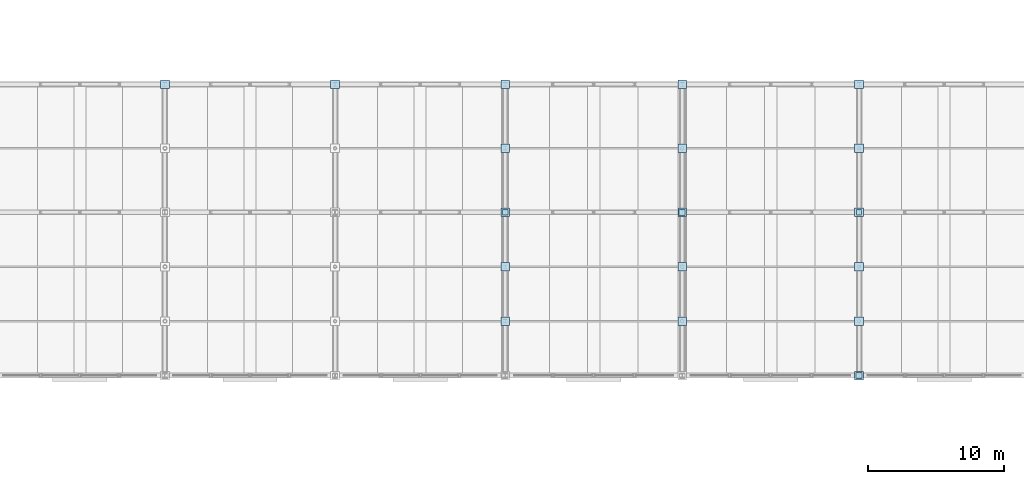
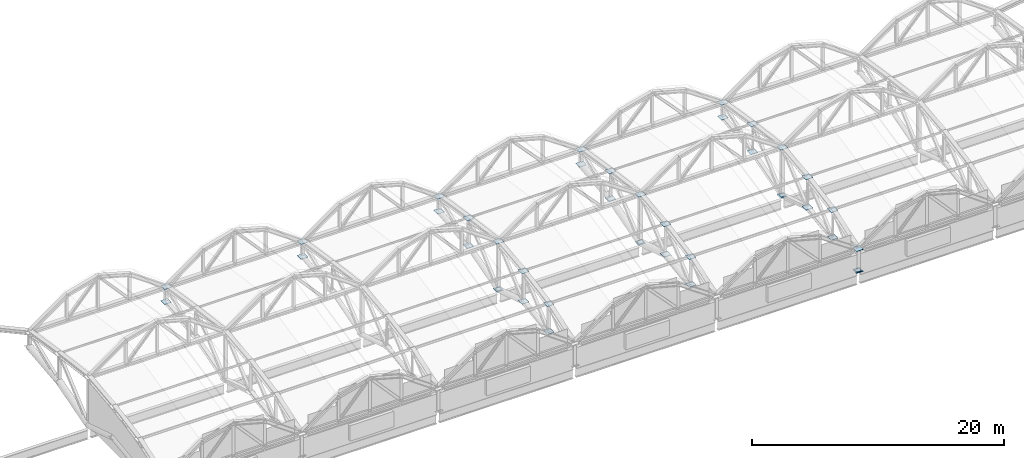
# One storey, part 100 of 117: 40 plates.
"""IFC4 building model written with IfcOpenShell, lengths in metres."""

from ifc_helpers import new_model, si_unit, direction, frame, origin, origin_2d, place, context, subcontext, project, spatial, rectangle, extrude, material, layer, layer_set, type_object, element, save


model = new_model("IFC4")

# Units and contexts
model_context = context("Model", 3, precision=1e-05, world=origin(), true_north=direction((0.0, 1.0)))
body_context = subcontext(model_context, "Body", "Model", "MODEL_VIEW")
ifc_project = project(units=[si_unit("LENGTHUNIT", "METRE"), si_unit("AREAUNIT", "SQUARE_METRE"), si_unit("VOLUMEUNIT", "CUBIC_METRE"), si_unit("PLANEANGLEUNIT", "RADIAN"), si_unit("MASSUNIT", "GRAM", prefix="KILO")], contexts=[model_context])

# Site, building, storey
site_placement = place(None, origin())
site = spatial("IfcSite", under=ifc_project, at=site_placement, CompositionType="ELEMENT")
building_placement = place(site_placement, origin())
building = spatial("IfcBuilding", under=site, at=building_placement, Name="Kazenohara Klinker Stadium", CompositionType="ELEMENT")
storey_placement = place(building_placement, frame((0.0, 0.0, 31.199951171875)))
storey = spatial("IfcBuildingStorey", under=building, at=storey_placement, Name="RF", CompositionType="ELEMENT", Elevation=31.199951171875)

# Plates
ifc_material = material(Name="Steel S355", Category="steel")
ifc_layer_1 = layer(ifc_material, 0.02001953125)
ifc_layer_set_1 = layer_set([ifc_layer_1], Name="Steel S355")
plate_type_1 = type_object("IfcPlateType", Name="PLT-GP01", PredefinedType="USERDEFINED", material=ifc_layer_set_1)
plate_1_placement = place(storey_placement, frame((125.0, 24.0, -0.010009765625), z_axis=(0.0, 0.0, 1.0), x_axis=(1.0, 0.0, 0.0)))
element("IfcPlate", 1, at=plate_1_placement, inside=storey, type_object=plate_type_1, Name="Hollow column end-cap plate GP01 RF 11/C", ObjectType="GUSSET PLATE", PredefinedType="USERDEFINED", context=body_context, shape_type="SweptSolid", body=[
    extrude(rectangle(XDim=0.43994140625, YDim=0.43994140625, at=origin_2d()), origin(), (0.0, 0.0, 1.0), 0.02001953125),
])
for number, where, z_axis, x_axis, name in (
    (2, (112.0, 45.39990234375, 1.840087890625), (0.0, 0.0, 1.0), (1.0, 0.0, 0.0), "ROOF TRUSS RT-S05 node gusset plate BN6"),
    (3, (112.0, 45.39990234375, 3.2900390625), (0.0, 0.0, 1.0), (1.0, 0.0, 0.0), "ROOF TRUSS RT-S05 node gusset plate TN6"),
    (4, (125.0, 40.699951171875, 1.340087890625), (0.0, 0.0, 1.0), (1.0, 0.0, 0.0), "ROOF TRUSS RT-S06 node gusset plate BN5"),
    (5, (125.0, 40.699951171875, 4.0400390625), (0.0, 0.0, 1.0), (1.0, 0.0, 0.0), "ROOF TRUSS RT-S06 node gusset plate TN5"),
):
    element("IfcPlate", number, at=place(storey_placement, frame(where, z_axis=z_axis, x_axis=x_axis)), inside=storey, type_object=plate_type_1, Name=name, ObjectType="GUSSET PLATE", PredefinedType="USERDEFINED", context=body_context, shape_type="SweptSolid", body=[
        extrude(rectangle(XDim=0.639892578125, YDim=0.639892578125, at=origin_2d()), origin(), (0.0, 0.0, 1.0), 0.02001953125),
    ])
ifc_layer_2 = layer(ifc_material, 0.02197265625)
ifc_layer_set_2 = layer_set([ifc_layer_2], Name="Steel S355")
plate_type_2 = type_object("IfcPlateType", Name="PLT-GP02", PredefinedType="USERDEFINED", material=ifc_layer_set_2)
plate_2_placement = place(storey_placement, frame((112.0, 36.0, -0.010986328125), z_axis=(0.0, 0.0, 1.0), x_axis=(1.0, 0.0, 0.0)))
element("IfcPlate", 6, at=plate_2_placement, inside=storey, type_object=plate_type_2, Name="Hollow column end-cap plate GP02 RF 10/D", ObjectType="GUSSET PLATE", PredefinedType="USERDEFINED", context=body_context, shape_type="SweptSolid", body=[
    extrude(rectangle(XDim=0.43994140625, YDim=0.43994140625, at=origin_2d()), origin(), (0.0, 0.0, 1.0), 0.02197265625),
])
for number, where, z_axis, x_axis, name in (
    (7, (99.0, 28.0, 0.739013671875), (0.0, 0.0, 1.0), (1.0, 0.0, 0.0), "ROOF TRUSS RT-S04 node gusset plate BN2"),
    (8, (99.0, 28.0, 3.43896484375), (0.0, 0.0, 1.0), (1.0, 0.0, 0.0), "ROOF TRUSS RT-S04 node gusset plate TN2"),
    (9, (125.0, 45.39990234375, 1.839111328125), (0.0, 0.0, 1.0), (1.0, 0.0, 0.0), "ROOF TRUSS RT-S06 node gusset plate BN6"),
    (10, (125.0, 45.39990234375, 3.2890625), (0.0, 0.0, 1.0), (1.0, 0.0, 0.0), "ROOF TRUSS RT-S06 node gusset plate TN6"),
):
    element("IfcPlate", number, at=place(storey_placement, frame(where, z_axis=z_axis, x_axis=x_axis)), inside=storey, type_object=plate_type_2, Name=name, ObjectType="GUSSET PLATE", PredefinedType="USERDEFINED", context=body_context, shape_type="SweptSolid", body=[
        extrude(rectangle(XDim=0.639892578125, YDim=0.639892578125, at=origin_2d()), origin(), (0.0, 0.0, 1.0), 0.02197265625),
    ])
ifc_layer_3 = layer(ifc_material, 0.02392578125)
ifc_layer_set_3 = layer_set([ifc_layer_3], Name="Steel S355")
plate_type_3 = type_object("IfcPlateType", Name="PLT-GP03", PredefinedType="USERDEFINED", material=ifc_layer_set_3)
plate_3_placement = place(storey_placement, frame((99.0, 36.0, -0.011962890625), z_axis=(0.0, 0.0, 1.0), x_axis=(1.0, 0.0, 0.0)))
element("IfcPlate", 11, at=plate_3_placement, inside=storey, type_object=plate_type_3, Name="Hollow column end-cap plate GP03 RF 9/D", ObjectType="GUSSET PLATE", PredefinedType="USERDEFINED", context=body_context, shape_type="SweptSolid", body=[
    extrude(rectangle(XDim=0.389892578125, YDim=0.389892578125, at=origin_2d()), origin(), (0.0, 0.0, 1.0), 0.02392578125),
])
for number, where, z_axis, x_axis, name in (
    (12, (99.0, 32.0, 1.238037109375), (0.0, 0.0, 1.0), (1.0, 0.0, 0.0), "ROOF TRUSS RT-S04 node gusset plate BN3"),
    (13, (99.0, 32.0, 4.18798828125), (0.0, 0.0, 1.0), (1.0, 0.0, 0.0), "ROOF TRUSS RT-S04 node gusset plate TN3"),
    (14, (112.0, 28.0, 0.738037109375), (0.0, 0.0, 1.0), (1.0, 0.0, 0.0), "ROOF TRUSS RT-S05 node gusset plate BN2"),
    (15, (112.0, 28.0, 3.43798828125), (0.0, 0.0, 1.0), (1.0, 0.0, 0.0), "ROOF TRUSS RT-S05 node gusset plate TN2"),
    (16, (125.0, 24.0, -0.031982421875), (0.0, 0.0, 1.0), (1.0, 0.0, 0.0), "ROOF TRUSS RT-S06 node gusset plate BN1"),
    (17, (125.0, 24.0, 2.088134765625), (0.0, 0.0, 1.0), (1.0, 0.0, 0.0), "ROOF TRUSS RT-S06 node gusset plate TN1"),
):
    element("IfcPlate", number, at=place(storey_placement, frame(where, z_axis=z_axis, x_axis=x_axis)), inside=storey, type_object=plate_type_3, Name=name, ObjectType="GUSSET PLATE", PredefinedType="USERDEFINED", context=body_context, shape_type="SweptSolid", body=[
        extrude(rectangle(XDim=0.639892578125, YDim=0.639892578125, at=origin_2d()), origin(), (0.0, 0.0, 1.0), 0.02392578125),
    ])
ifc_layer_4 = layer(ifc_material, 0.02490234375)
ifc_layer_set_4 = layer_set([ifc_layer_4], Name="Steel S355")
plate_type_4 = type_object("IfcPlateType", Name="PLT-GP04", PredefinedType="USERDEFINED", material=ifc_layer_set_4)
plate_4_placement = place(storey_placement, frame((125.0, 36.0, -0.012451171875), z_axis=(0.0, 0.0, 1.0), x_axis=(1.0, 0.0, 0.0)))
element("IfcPlate", 18, at=plate_4_placement, inside=storey, type_object=plate_type_4, Name="Hollow column end-cap plate GP04 RF 11/D", ObjectType="GUSSET PLATE", PredefinedType="USERDEFINED", context=body_context, shape_type="SweptSolid", body=[
    extrude(rectangle(XDim=0.389892578125, YDim=0.389892578125, at=origin_2d()), origin(), (0.0, 0.0, 1.0), 0.02490234375),
])
for number, where, z_axis, x_axis, name in (
    (19, (74.0, 45.39990234375, 1.837646484375), (0.0, 0.0, 1.0), (1.0, 0.0, 0.0), "ROOF TRUSS RT-S02 node gusset plate BN6"),
    (20, (74.0, 45.39990234375, 3.28759765625), (0.0, 0.0, 1.0), (1.0, 0.0, 0.0), "ROOF TRUSS RT-S02 node gusset plate TN6"),
    (21, (99.0, 36.0, -0.032470703125), (0.0, 0.0, 1.0), (1.0, 0.0, 0.0), "ROOF TRUSS RT-S04 node gusset plate BN4"),
    (22, (99.0, 36.0, 4.6376953125), (0.0, 0.0, 1.0), (1.0, 0.0, 0.0), "ROOF TRUSS RT-S04 node gusset plate TN4"),
    (23, (112.0, 32.0, 1.237548828125), (0.0, 0.0, 1.0), (1.0, 0.0, 0.0), "ROOF TRUSS RT-S05 node gusset plate BN3"),
    (24, (112.0, 32.0, 4.1875), (0.0, 0.0, 1.0), (1.0, 0.0, 0.0), "ROOF TRUSS RT-S05 node gusset plate TN3"),
    (25, (125.0, 28.0, 0.737548828125), (0.0, 0.0, 1.0), (1.0, 0.0, 0.0), "ROOF TRUSS RT-S06 node gusset plate BN2"),
    (26, (125.0, 28.0, 3.4375), (0.0, 0.0, 1.0), (1.0, 0.0, 0.0), "ROOF TRUSS RT-S06 node gusset plate TN2"),
):
    element("IfcPlate", number, at=place(storey_placement, frame(where, z_axis=z_axis, x_axis=x_axis)), inside=storey, type_object=plate_type_4, Name=name, ObjectType="GUSSET PLATE", PredefinedType="USERDEFINED", context=body_context, shape_type="SweptSolid", body=[
        extrude(rectangle(XDim=0.639892578125, YDim=0.639892578125, at=origin_2d()), origin(), (0.0, 0.0, 1.0), 0.02490234375),
    ])
ifc_layer_5 = layer(ifc_material, 0.02587890625)
ifc_layer_set_5 = layer_set([ifc_layer_5], Name="Steel S355")
plate_type_5 = type_object("IfcPlateType", Name="PLT-GP05", PredefinedType="USERDEFINED", material=ifc_layer_set_5)
for number, where, z_axis, x_axis, name in (
    (27, (86.5, 45.39990234375, 1.837158203125), (0.0, 0.0, 1.0), (1.0, 0.0, 0.0), "ROOF TRUSS RT-S03 node gusset plate BN6"),
    (28, (86.5, 45.39990234375, 3.287109375), (0.0, 0.0, 1.0), (1.0, 0.0, 0.0), "ROOF TRUSS RT-S03 node gusset plate TN6"),
    (29, (99.0, 40.699951171875, 1.337158203125), (0.0, 0.0, 1.0), (1.0, 0.0, 0.0), "ROOF TRUSS RT-S04 node gusset plate BN5"),
    (30, (99.0, 40.699951171875, 4.037109375), (0.0, 0.0, 1.0), (1.0, 0.0, 0.0), "ROOF TRUSS RT-S04 node gusset plate TN5"),
    (31, (112.0, 36.0, -0.032958984375), (0.0, 0.0, 1.0), (1.0, 0.0, 0.0), "ROOF TRUSS RT-S05 node gusset plate BN4"),
    (32, (112.0, 36.0, 4.63720703125), (0.0, 0.0, 1.0), (1.0, 0.0, 0.0), "ROOF TRUSS RT-S05 node gusset plate TN4"),
    (33, (125.0, 32.0, 1.237060546875), (0.0, 0.0, 1.0), (1.0, 0.0, 0.0), "ROOF TRUSS RT-S06 node gusset plate BN3"),
    (34, (125.0, 32.0, 4.18701171875), (0.0, 0.0, 1.0), (1.0, 0.0, 0.0), "ROOF TRUSS RT-S06 node gusset plate TN3"),
):
    element("IfcPlate", number, at=place(storey_placement, frame(where, z_axis=z_axis, x_axis=x_axis)), inside=storey, type_object=plate_type_5, Name=name, ObjectType="GUSSET PLATE", PredefinedType="USERDEFINED", context=body_context, shape_type="SweptSolid", body=[
        extrude(rectangle(XDim=0.639892578125, YDim=0.639892578125, at=origin_2d()), origin(), (0.0, 0.0, 1.0), 0.02587890625),
    ])
ifc_layer_6 = layer(ifc_material, 0.028076171875)
ifc_layer_set_6 = layer_set([ifc_layer_6], Name="Steel S355")
plate_type_6 = type_object("IfcPlateType", Name="PLT-GP06", PredefinedType="USERDEFINED", material=ifc_layer_set_6)
for number, where, z_axis, x_axis, name in (
    (35, (99.0, 45.39990234375, 1.8359375), (0.0, 0.0, 1.0), (1.0, 0.0, 0.0), "ROOF TRUSS RT-S04 node gusset plate BN6"),
    (36, (99.0, 45.39990234375, 3.2861328125), (0.0, 0.0, 1.0), (1.0, 0.0, 0.0), "ROOF TRUSS RT-S04 node gusset plate TN6"),
    (37, (112.0, 40.699951171875, 1.3359375), (0.0, 0.0, 1.0), (1.0, 0.0, 0.0), "ROOF TRUSS RT-S05 node gusset plate BN5"),
    (38, (112.0, 40.699951171875, 4.0361328125), (0.0, 0.0, 1.0), (1.0, 0.0, 0.0), "ROOF TRUSS RT-S05 node gusset plate TN5"),
    (39, (125.0, 36.0, -0.0341796875), (0.0, 0.0, 1.0), (1.0, 0.0, 0.0), "ROOF TRUSS RT-S06 node gusset plate BN4"),
    (40, (125.0, 36.0, 4.63623046875), (0.0, 0.0, 1.0), (1.0, 0.0, 0.0), "ROOF TRUSS RT-S06 node gusset plate TN4"),
):
    element("IfcPlate", number, at=place(storey_placement, frame(where, z_axis=z_axis, x_axis=x_axis)), inside=storey, type_object=plate_type_6, Name=name, ObjectType="GUSSET PLATE", PredefinedType="USERDEFINED", context=body_context, shape_type="SweptSolid", body=[
        extrude(rectangle(XDim=0.639892578125, YDim=0.639892578125, at=origin_2d()), origin(), (0.0, 0.0, 1.0), 0.028076171875),
    ])

save(model, "model.ifc")
